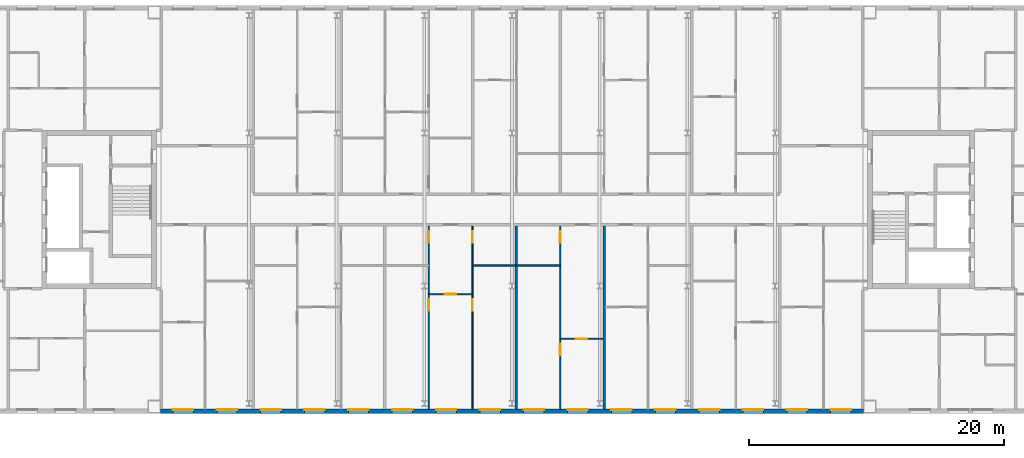
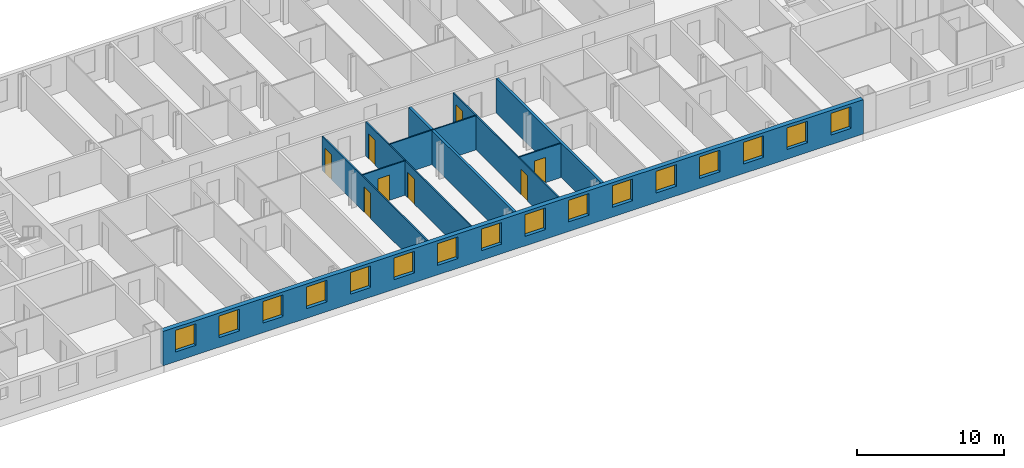
# One storey, part 10 of 19: 16 windows, 9 walls, 8 doors, 24 openings.
"""IFC4 building model written with IfcOpenShell, lengths in metres."""

import ifcopenshell
import ifcopenshell.guid

model = None  # the IFC model being written
_history = None  # IfcOwnerHistory: only IFC2X3 demands one
_inside = {}  # id of a spatial element -> (the spatial element, [elements in it])
_under = {}  # id of a project, library or spatial element -> (it, [spatial elements below it])
_declared = {}  # id of a project -> (the project, [libraries it declares])
_typed = {}  # id of a type object -> (the type object, [elements of that type])
_made_of = {}  # id of a material, layer set ... -> (it, [elements and type objects made of it])


def new_model(schema):
    """Start an empty IFC model of exactly this schema.

    Asked for "IFC4X3", IfcOpenShell would pick the latest addendum, in which some entities
    have other attributes; the version numbers below select the first issue.
    IFC2X3 requires an IfcOwnerHistory on every rooted entity: one is made here for all.
    """
    global model, _history
    if schema == "IFC4X3":
        model = ifcopenshell.file(schema_version=(4, 3, 0, 0))
    else:
        model = ifcopenshell.file(schema=schema)
    _inside.clear()
    _under.clear()
    _declared.clear()
    _typed.clear()
    _made_of.clear()
    _history = None
    if model.schema == "IFC2X3":
        org = make("IfcOrganization", Name="unknown")
        user = make(
            "IfcPersonAndOrganization",
            ThePerson=make("IfcPerson", FamilyName="unknown"),
            TheOrganization=org,
        )
        app = make(
            "IfcApplication",
            ApplicationDeveloper=org,
            Version="unknown",
            ApplicationFullName="unknown",
            ApplicationIdentifier="unknown",
        )
        _history = make(
            "IfcOwnerHistory",
            OwningUser=user,
            OwningApplication=app,
            ChangeAction="ADDED",
            CreationDate=0,
        )
    return model


def make(cls, **values):
    """One entity of the class cls with the attributes given. An attribute that is None is left unset."""
    return model.create_entity(
        cls, **{name: value for name, value in values.items() if value is not None}
    )


def rooted(cls, **values):
    """An entity with a GlobalId (a new one), such as an element, a storey or a relation."""
    return make(cls, GlobalId=ifcopenshell.guid.new(), OwnerHistory=_history, **values)


def si_unit(unit_type, name, prefix=None):
    """IfcSIUnit, for example si_unit("LENGTHUNIT", "METRE", prefix="MILLI")."""
    return make("IfcSIUnit", UnitType=unit_type, Prefix=prefix, Name=name)


def assignment(units):
    """IfcUnitAssignment: the units of a project."""
    return None if units is None else make("IfcUnitAssignment", Units=units)


def point(xyz):
    """IfcCartesianPoint."""
    return None if xyz is None else make("IfcCartesianPoint", Coordinates=xyz)


def direction(xyz):
    """IfcDirection."""
    return None if xyz is None else make("IfcDirection", DirectionRatios=xyz)


def frame(location, z_axis=None, x_axis=None):
    """IfcAxis2Placement3D, a coordinate frame: its origin and axes. An axis left out is left unset."""
    return make(
        "IfcAxis2Placement3D",
        Location=point(location),
        Axis=direction(z_axis),
        RefDirection=direction(x_axis),
    )


def frame_2d(location, x_axis=None):
    """IfcAxis2Placement2D, a coordinate frame in the plane: its origin and x axis."""
    return make(
        "IfcAxis2Placement2D", Location=point(location), RefDirection=direction(x_axis)
    )


def origin():
    """The frame at (0, 0, 0) with its axes left unset."""
    return frame((0.0, 0.0, 0.0))


def place(relative_to, where):
    """IfcLocalPlacement: puts the frame where relative to a parent placement (None: the world)."""
    return make(
        "IfcLocalPlacement", PlacementRelTo=relative_to, RelativePlacement=where
    )


def context(
    kind, dimensions, precision=None, world=None, true_north=None, identifier=None
):
    """IfcGeometricRepresentationContext, for example the 3D "Model" context."""
    return make(
        "IfcGeometricRepresentationContext",
        ContextIdentifier=identifier,
        ContextType=kind,
        CoordinateSpaceDimension=dimensions,
        Precision=precision,
        WorldCoordinateSystem=world,
        TrueNorth=true_north,
    )


def subcontext(parent, identifier, kind, view, scale=None):
    """IfcGeometricRepresentationSubContext, for example "Body" below "Model"."""
    return make(
        "IfcGeometricRepresentationSubContext",
        ContextIdentifier=identifier,
        ContextType=kind,
        ParentContext=parent,
        TargetScale=scale,
        TargetView=view,
    )


def project(units=None, contexts=None):
    """IfcProject with its units and contexts."""
    return rooted(
        "IfcProject",
        Name="project",
        RepresentationContexts=contexts,
        UnitsInContext=assignment(units),
    )


def spatial(cls, under=None, at=None, **own):
    """A site, building, storey or space (cls), placed at a placement, below another one or the project."""
    s = rooted(cls, ObjectPlacement=at, **own)
    if under is not None:
        _under.setdefault(under.id(), (under, []))[1].append(s)
    return s


def profile(cls, at=None, kind="AREA", **sizes):
    """A parametric profile (cls). Its sizes go by their IFC names, for example OverallWidth=200.0."""
    return make(cls, ProfileType=kind, Position=at, **sizes)


def rectangle(**sizes):
    """IfcRectangleProfileDef."""
    return profile("IfcRectangleProfileDef", **sizes)


def extrude(swept, where, along, depth):
    """IfcExtrudedAreaSolid: the profile swept, set in the frame where, extruded along a direction by depth."""
    return make(
        "IfcExtrudedAreaSolid",
        SweptArea=swept,
        Position=where,
        ExtrudedDirection=direction(along),
        Depth=depth,
    )


def shape(context_of_items, identifier, shape_type, items):
    """IfcShapeRepresentation: the items that make up one representation, for example the "Body"."""
    return make(
        "IfcShapeRepresentation",
        ContextOfItems=context_of_items,
        RepresentationIdentifier=identifier,
        RepresentationType=shape_type,
        Items=items,
    )


def material(Name=None, Category=None):
    """IfcMaterial."""
    return make("IfcMaterial", Name=Name, Category=Category)


def layer(
    of_material, thickness, ventilated=None, Name=None, Category=None, Priority=None
):
    """IfcMaterialLayer: one layer of a wall or slab, of a material (None: an air gap)."""
    return make(
        "IfcMaterialLayer",
        Material=of_material,
        LayerThickness=thickness,
        IsVentilated=ventilated,
        Name=Name,
        Category=Category,
        Priority=Priority,
    )


def layer_set(layers, Name=None):
    """IfcMaterialLayerSet."""
    return make("IfcMaterialLayerSet", MaterialLayers=layers, LayerSetName=Name)


def made_of(thing, what):
    """Note that an element or type object is made of a material, layer set ...; save() writes the relation."""
    if what is not None:
        _made_of.setdefault(what.id(), (what, []))[1].append(thing)
    return thing


def type_object(cls, material=None, **own):
    """A type object (cls), such as IfcWallType, which elements share."""
    return made_of(rooted(cls, **own), material)


def element(
    cls,
    number,
    at=None,
    inside=None,
    cuts=None,
    type_object=None,
    material=None,
    context=None,
    identifier="Body",
    shape_type=None,
    held_by="IfcProductDefinitionShape",
    body=None,
    shapes=None,
    **own,
):
    """One element of the class cls, such as IfcWall. Its Tag is "e" and its number.

    at: its placement. inside: the storey or other place that contains it. cuts: it is an
    opening in that element (IfcRelVoidsElement). A single representation is given by context,
    identifier, shape_type and body (its items); several are given by shapes. held_by: the class
    of the entity that holds the representations. save() writes the other relations.
    """
    e = rooted(cls, Tag="e%d" % number, ObjectPlacement=at, **own)
    if body is not None:
        shapes = [shape(context, identifier, shape_type, body)]
    if shapes is not None:
        e.Representation = make(held_by, Representations=shapes)
    if inside is not None:
        _inside.setdefault(inside.id(), (inside, []))[1].append(e)
    if cuts is not None:
        rooted(
            "IfcRelVoidsElement", RelatingBuildingElement=cuts, RelatedOpeningElement=e
        )
    if type_object is not None:
        _typed.setdefault(type_object.id(), (type_object, []))[1].append(e)
    return made_of(e, material)


def fill(opening, filler):
    """IfcRelFillsElement: the door or window that sits in an opening."""
    return rooted(
        "IfcRelFillsElement",
        RelatingOpeningElement=opening,
        RelatedBuildingElement=filler,
    )


def aggregate(whole, parts):
    """IfcRelAggregates: a whole, such as a stair, and the parts it consists of."""
    return rooted("IfcRelAggregates", RelatingObject=whole, RelatedObjects=parts)


def save(model, path):
    """Write the relations noted so far, then the file.

    IfcRelAggregates (storeys below a building ...), IfcRelContainedInSpatialStructure (elements
    in a storey), IfcRelDefinesByType, IfcRelAssociatesMaterial and IfcRelDeclares: one each for
    every whole, place, type object, material and project.
    """
    for whole, parts in _under.values():
        aggregate(whole, parts)
    for where, things in _inside.values():
        rooted(
            "IfcRelContainedInSpatialStructure",
            RelatedElements=things,
            RelatingStructure=where,
        )
    for kind, things in _typed.values():
        rooted("IfcRelDefinesByType", RelatedObjects=things, RelatingType=kind)
    for what, things in _made_of.values():
        rooted("IfcRelAssociatesMaterial", RelatedObjects=things, RelatingMaterial=what)
    for by, libraries in _declared.values():
        rooted("IfcRelDeclares", RelatingContext=by, RelatedDefinitions=libraries)
    model.write(path)


model = new_model("IFC4")

# Units and contexts
model_context = context("Model", 3, precision=1e-05, world=origin(), true_north=direction((0.0, 1.0)))
body_context = subcontext(model_context, "Body", "Model", "MODEL_VIEW")
ifc_project = project(units=[si_unit("LENGTHUNIT", "METRE"), si_unit("AREAUNIT", "SQUARE_METRE"), si_unit("VOLUMEUNIT", "CUBIC_METRE"), si_unit("PLANEANGLEUNIT", "RADIAN"), si_unit("MASSUNIT", "GRAM", prefix="KILO")], contexts=[model_context])

# Site, building, storey
site_placement = place(None, origin())
site = spatial("IfcSite", under=ifc_project, at=site_placement, CompositionType="ELEMENT")
building_placement = place(site_placement, origin())
building = spatial("IfcBuilding", under=site, at=building_placement, Name="Tuart Gate Housing", CompositionType="ELEMENT")
storey_placement = place(building_placement, frame((0.0, 0.0, 221.39990234375)))
storey = spatial("IfcBuildingStorey", under=building, at=storey_placement, Name="L62", CompositionType="ELEMENT", Elevation=221.39990234375)

# Wall, openings, windows
ifc_material_1 = material(Name="Brick", Category="masonry")
ifc_layer_1 = layer(ifc_material_1, 0.360107421875)
ifc_layer_set_1 = layer_set([ifc_layer_1], Name="Brick pier and spandrel wall 360")
wall_type_1 = type_object("IfcWallType", Name="Brick pier and spandrel wall 360", PredefinedType="STANDARD", material=ifc_layer_set_1)
wall_1_placement = place(storey_placement, frame((75.949951171875, 54.179931640625, 0.0), z_axis=(0.0, 0.0, 1.0), x_axis=(1.0, 0.0, 0.0)))
wall_1 = element("IfcWall", 1, at=wall_1_placement, inside=storey, type_object=wall_type_1, Name="External wall BLK-S L62", PredefinedType="STANDARD", context=body_context, shape_type="SweptSolid", body=[
    extrude(rectangle(XDim=55.10009765625, YDim=0.360107421875, at=frame_2d((27.550048828125, 0.0))), origin(), (0.0, 0.0, 1.0), 2.85009765625),
])
opening_1_placement = place(wall_1_placement, frame((0.96875, 0.0, 0.800048828125)))
opening_1 = element("IfcOpeningElement", 2, at=opening_1_placement, cuts=wall_1, Name="Opening W1", PredefinedType="OPENING", context=body_context, shape_type="SweptSolid", body=[
    extrude(rectangle(XDim=1.60009765625, YDim=1.800048828125, at=frame_2d((0.800048828125, 0.89990234375))), frame((0.0, 0.18994140625, 0.0), z_axis=(0.0, -1.0, 0.0), x_axis=(1.0, 0.0, 0.0)), (0.0, 0.0, 1.0), 0.380126953125),
])
opening_2_placement = place(wall_1_placement, frame((4.40625, 0.0, 0.800048828125)))
opening_2 = element("IfcOpeningElement", 3, at=opening_2_placement, cuts=wall_1, Name="Opening W1", PredefinedType="OPENING", context=body_context, shape_type="SweptSolid", body=[
    extrude(rectangle(XDim=1.60009765625, YDim=1.800048828125, at=frame_2d((0.800048828125, 0.89990234375))), frame((0.0, 0.18994140625, 0.0), z_axis=(0.0, -1.0, 0.0), x_axis=(1.0, 0.0, 0.0)), (0.0, 0.0, 1.0), 0.380126953125),
])
opening_3_placement = place(wall_1_placement, frame((7.84375, 0.0, 0.800048828125)))
opening_3 = element("IfcOpeningElement", 4, at=opening_3_placement, cuts=wall_1, Name="Opening W1", PredefinedType="OPENING", context=body_context, shape_type="SweptSolid", body=[
    extrude(rectangle(XDim=1.60009765625, YDim=1.800048828125, at=frame_2d((0.800048828125, 0.89990234375))), frame((0.0, 0.18994140625, 0.0), z_axis=(0.0, -1.0, 0.0), x_axis=(1.0, 0.0, 0.0)), (0.0, 0.0, 1.0), 0.380126953125),
])
opening_4_placement = place(wall_1_placement, frame((11.28125, 0.0, 0.800048828125)))
opening_4 = element("IfcOpeningElement", 5, at=opening_4_placement, cuts=wall_1, Name="Opening W1", PredefinedType="OPENING", context=body_context, shape_type="SweptSolid", body=[
    extrude(rectangle(XDim=1.60009765625, YDim=1.800048828125, at=frame_2d((0.800048828125, 0.89990234375))), frame((0.0, 0.18994140625, 0.0), z_axis=(0.0, -1.0, 0.0), x_axis=(1.0, 0.0, 0.0)), (0.0, 0.0, 1.0), 0.380126953125),
])
opening_5_placement = place(wall_1_placement, frame((14.71875, 0.0, 0.800048828125)))
opening_5 = element("IfcOpeningElement", 6, at=opening_5_placement, cuts=wall_1, Name="Opening W1", PredefinedType="OPENING", context=body_context, shape_type="SweptSolid", body=[
    extrude(rectangle(XDim=1.60009765625, YDim=1.800048828125, at=frame_2d((0.800048828125, 0.89990234375))), frame((0.0, 0.18994140625, 0.0), z_axis=(0.0, -1.0, 0.0), x_axis=(1.0, 0.0, 0.0)), (0.0, 0.0, 1.0), 0.380126953125),
])
opening_6_placement = place(wall_1_placement, frame((18.15625, 0.0, 0.800048828125)))
opening_6 = element("IfcOpeningElement", 7, at=opening_6_placement, cuts=wall_1, Name="Opening W1", PredefinedType="OPENING", context=body_context, shape_type="SweptSolid", body=[
    extrude(rectangle(XDim=1.60009765625, YDim=1.800048828125, at=frame_2d((0.800048828125, 0.89990234375))), frame((0.0, 0.18994140625, 0.0), z_axis=(0.0, -1.0, 0.0), x_axis=(1.0, 0.0, 0.0)), (0.0, 0.0, 1.0), 0.380126953125),
])
opening_7_placement = place(wall_1_placement, frame((21.59375, 0.0, 0.800048828125)))
opening_7 = element("IfcOpeningElement", 8, at=opening_7_placement, cuts=wall_1, Name="Opening W1", PredefinedType="OPENING", context=body_context, shape_type="SweptSolid", body=[
    extrude(rectangle(XDim=1.60009765625, YDim=1.800048828125, at=frame_2d((0.800048828125, 0.89990234375))), frame((0.0, 0.18994140625, 0.0), z_axis=(0.0, -1.0, 0.0), x_axis=(1.0, 0.0, 0.0)), (0.0, 0.0, 1.0), 0.380126953125),
])
opening_8_placement = place(wall_1_placement, frame((25.03125, 0.0, 0.800048828125)))
opening_8 = element("IfcOpeningElement", 9, at=opening_8_placement, cuts=wall_1, Name="Opening W1", PredefinedType="OPENING", context=body_context, shape_type="SweptSolid", body=[
    extrude(rectangle(XDim=1.60009765625, YDim=1.800048828125, at=frame_2d((0.800048828125, 0.89990234375))), frame((0.0, 0.18994140625, 0.0), z_axis=(0.0, -1.0, 0.0), x_axis=(1.0, 0.0, 0.0)), (0.0, 0.0, 1.0), 0.380126953125),
])
opening_9_placement = place(wall_1_placement, frame((28.46875, 0.0, 0.800048828125)))
opening_9 = element("IfcOpeningElement", 10, at=opening_9_placement, cuts=wall_1, Name="Opening W1", PredefinedType="OPENING", context=body_context, shape_type="SweptSolid", body=[
    extrude(rectangle(XDim=1.60009765625, YDim=1.800048828125, at=frame_2d((0.800048828125, 0.89990234375))), frame((0.0, 0.18994140625, 0.0), z_axis=(0.0, -1.0, 0.0), x_axis=(1.0, 0.0, 0.0)), (0.0, 0.0, 1.0), 0.380126953125),
])
opening_10_placement = place(wall_1_placement, frame((31.90625, 0.0, 0.800048828125)))
opening_10 = element("IfcOpeningElement", 11, at=opening_10_placement, cuts=wall_1, Name="Opening W1", PredefinedType="OPENING", context=body_context, shape_type="SweptSolid", body=[
    extrude(rectangle(XDim=1.60009765625, YDim=1.800048828125, at=frame_2d((0.800048828125, 0.89990234375))), frame((0.0, 0.18994140625, 0.0), z_axis=(0.0, -1.0, 0.0), x_axis=(1.0, 0.0, 0.0)), (0.0, 0.0, 1.0), 0.380126953125),
])
opening_11_placement = place(wall_1_placement, frame((35.34375, 0.0, 0.800048828125)))
opening_11 = element("IfcOpeningElement", 12, at=opening_11_placement, cuts=wall_1, Name="Opening W1", PredefinedType="OPENING", context=body_context, shape_type="SweptSolid", body=[
    extrude(rectangle(XDim=1.60009765625, YDim=1.800048828125, at=frame_2d((0.800048828125, 0.89990234375))), frame((0.0, 0.18994140625, 0.0), z_axis=(0.0, -1.0, 0.0), x_axis=(1.0, 0.0, 0.0)), (0.0, 0.0, 1.0), 0.380126953125),
])
opening_12_placement = place(wall_1_placement, frame((38.78125, 0.0, 0.800048828125)))
opening_12 = element("IfcOpeningElement", 13, at=opening_12_placement, cuts=wall_1, Name="Opening W1", PredefinedType="OPENING", context=body_context, shape_type="SweptSolid", body=[
    extrude(rectangle(XDim=1.60009765625, YDim=1.800048828125, at=frame_2d((0.800048828125, 0.89990234375))), frame((0.0, 0.18994140625, 0.0), z_axis=(0.0, -1.0, 0.0), x_axis=(1.0, 0.0, 0.0)), (0.0, 0.0, 1.0), 0.380126953125),
])
opening_13_placement = place(wall_1_placement, frame((42.21875, 0.0, 0.800048828125)))
opening_13 = element("IfcOpeningElement", 14, at=opening_13_placement, cuts=wall_1, Name="Opening W1", PredefinedType="OPENING", context=body_context, shape_type="SweptSolid", body=[
    extrude(rectangle(XDim=1.60009765625, YDim=1.800048828125, at=frame_2d((0.800048828125, 0.89990234375))), frame((0.0, 0.18994140625, 0.0), z_axis=(0.0, -1.0, 0.0), x_axis=(1.0, 0.0, 0.0)), (0.0, 0.0, 1.0), 0.380126953125),
])
opening_14_placement = place(wall_1_placement, frame((45.65625, 0.0, 0.800048828125)))
opening_14 = element("IfcOpeningElement", 15, at=opening_14_placement, cuts=wall_1, Name="Opening W1", PredefinedType="OPENING", context=body_context, shape_type="SweptSolid", body=[
    extrude(rectangle(XDim=1.60009765625, YDim=1.800048828125, at=frame_2d((0.800048828125, 0.89990234375))), frame((0.0, 0.18994140625, 0.0), z_axis=(0.0, -1.0, 0.0), x_axis=(1.0, 0.0, 0.0)), (0.0, 0.0, 1.0), 0.380126953125),
])
opening_15_placement = place(wall_1_placement, frame((49.09375, 0.0, 0.800048828125)))
opening_15 = element("IfcOpeningElement", 16, at=opening_15_placement, cuts=wall_1, Name="Opening W1", PredefinedType="OPENING", context=body_context, shape_type="SweptSolid", body=[
    extrude(rectangle(XDim=1.60009765625, YDim=1.800048828125, at=frame_2d((0.800048828125, 0.89990234375))), frame((0.0, 0.18994140625, 0.0), z_axis=(0.0, -1.0, 0.0), x_axis=(1.0, 0.0, 0.0)), (0.0, 0.0, 1.0), 0.380126953125),
])
opening_16_placement = place(wall_1_placement, frame((52.53125, 0.0, 0.800048828125)))
opening_16 = element("IfcOpeningElement", 17, at=opening_16_placement, cuts=wall_1, Name="Opening W1", PredefinedType="OPENING", context=body_context, shape_type="SweptSolid", body=[
    extrude(rectangle(XDim=1.60009765625, YDim=1.800048828125, at=frame_2d((0.800048828125, 0.89990234375))), frame((0.0, 0.18994140625, 0.0), z_axis=(0.0, -1.0, 0.0), x_axis=(1.0, 0.0, 0.0)), (0.0, 0.0, 1.0), 0.380126953125),
])
ifc_material_2 = material(Name="Aluminium frame with clear glass", Category="aluminium")
window_type = type_object("IfcWindowType", Name="Punched window 1600 x 1800", PartitioningType="SINGLE_PANEL", PredefinedType="WINDOW", material=ifc_material_2)
window_1_placement = place(opening_1_placement, origin())
window_1 = element("IfcWindow", 18, at=window_1_placement, inside=storey, type_object=window_type, Name="Window W1", OverallHeight=1.800048828125, OverallWidth=1.60009765625, PartitioningType="SINGLE_PANEL", PredefinedType="WINDOW", context=body_context, shape_type="SweptSolid", body=[
    extrude(rectangle(XDim=1.60009765625, YDim=1.800048828125, at=frame_2d((0.800048828125, 0.89990234375))), frame((0.0, 0.150146484375, 0.0), z_axis=(0.0, -1.0, 0.0), x_axis=(1.0, 0.0, 0.0)), (0.0, 0.0, 1.0), 0.06005859375),
])
fill(opening_1, window_1)
window_2_placement = place(opening_2_placement, origin())
window_2 = element("IfcWindow", 19, at=window_2_placement, inside=storey, type_object=window_type, Name="Window W1", OverallHeight=1.800048828125, OverallWidth=1.60009765625, PartitioningType="SINGLE_PANEL", PredefinedType="WINDOW", context=body_context, shape_type="SweptSolid", body=[
    extrude(rectangle(XDim=1.60009765625, YDim=1.800048828125, at=frame_2d((0.800048828125, 0.89990234375))), frame((0.0, 0.150146484375, 0.0), z_axis=(0.0, -1.0, 0.0), x_axis=(1.0, 0.0, 0.0)), (0.0, 0.0, 1.0), 0.06005859375),
])
fill(opening_2, window_2)
window_3_placement = place(opening_3_placement, origin())
window_3 = element("IfcWindow", 20, at=window_3_placement, inside=storey, type_object=window_type, Name="Window W1", OverallHeight=1.800048828125, OverallWidth=1.60009765625, PartitioningType="SINGLE_PANEL", PredefinedType="WINDOW", context=body_context, shape_type="SweptSolid", body=[
    extrude(rectangle(XDim=1.60009765625, YDim=1.800048828125, at=frame_2d((0.800048828125, 0.89990234375))), frame((0.0, 0.150146484375, 0.0), z_axis=(0.0, -1.0, 0.0), x_axis=(1.0, 0.0, 0.0)), (0.0, 0.0, 1.0), 0.06005859375),
])
fill(opening_3, window_3)
window_4_placement = place(opening_4_placement, origin())
window_4 = element("IfcWindow", 21, at=window_4_placement, inside=storey, type_object=window_type, Name="Window W1", OverallHeight=1.800048828125, OverallWidth=1.60009765625, PartitioningType="SINGLE_PANEL", PredefinedType="WINDOW", context=body_context, shape_type="SweptSolid", body=[
    extrude(rectangle(XDim=1.60009765625, YDim=1.800048828125, at=frame_2d((0.800048828125, 0.89990234375))), frame((0.0, 0.150146484375, 0.0), z_axis=(0.0, -1.0, 0.0), x_axis=(1.0, 0.0, 0.0)), (0.0, 0.0, 1.0), 0.06005859375),
])
fill(opening_4, window_4)
window_5_placement = place(opening_5_placement, origin())
window_5 = element("IfcWindow", 22, at=window_5_placement, inside=storey, type_object=window_type, Name="Window W1", OverallHeight=1.800048828125, OverallWidth=1.60009765625, PartitioningType="SINGLE_PANEL", PredefinedType="WINDOW", context=body_context, shape_type="SweptSolid", body=[
    extrude(rectangle(XDim=1.60009765625, YDim=1.800048828125, at=frame_2d((0.800048828125, 0.89990234375))), frame((0.0, 0.150146484375, 0.0), z_axis=(0.0, -1.0, 0.0), x_axis=(1.0, 0.0, 0.0)), (0.0, 0.0, 1.0), 0.06005859375),
])
fill(opening_5, window_5)
window_6_placement = place(opening_6_placement, origin())
window_6 = element("IfcWindow", 23, at=window_6_placement, inside=storey, type_object=window_type, Name="Window W1", OverallHeight=1.800048828125, OverallWidth=1.60009765625, PartitioningType="SINGLE_PANEL", PredefinedType="WINDOW", context=body_context, shape_type="SweptSolid", body=[
    extrude(rectangle(XDim=1.60009765625, YDim=1.800048828125, at=frame_2d((0.800048828125, 0.89990234375))), frame((0.0, 0.150146484375, 0.0), z_axis=(0.0, -1.0, 0.0), x_axis=(1.0, 0.0, 0.0)), (0.0, 0.0, 1.0), 0.06005859375),
])
fill(opening_6, window_6)
window_7_placement = place(opening_7_placement, origin())
window_7 = element("IfcWindow", 24, at=window_7_placement, inside=storey, type_object=window_type, Name="Window W1", OverallHeight=1.800048828125, OverallWidth=1.60009765625, PartitioningType="SINGLE_PANEL", PredefinedType="WINDOW", context=body_context, shape_type="SweptSolid", body=[
    extrude(rectangle(XDim=1.60009765625, YDim=1.800048828125, at=frame_2d((0.800048828125, 0.89990234375))), frame((0.0, 0.150146484375, 0.0), z_axis=(0.0, -1.0, 0.0), x_axis=(1.0, 0.0, 0.0)), (0.0, 0.0, 1.0), 0.06005859375),
])
fill(opening_7, window_7)
window_8_placement = place(opening_8_placement, origin())
window_8 = element("IfcWindow", 25, at=window_8_placement, inside=storey, type_object=window_type, Name="Window W1", OverallHeight=1.800048828125, OverallWidth=1.60009765625, PartitioningType="SINGLE_PANEL", PredefinedType="WINDOW", context=body_context, shape_type="SweptSolid", body=[
    extrude(rectangle(XDim=1.60009765625, YDim=1.800048828125, at=frame_2d((0.800048828125, 0.89990234375))), frame((0.0, 0.150146484375, 0.0), z_axis=(0.0, -1.0, 0.0), x_axis=(1.0, 0.0, 0.0)), (0.0, 0.0, 1.0), 0.06005859375),
])
fill(opening_8, window_8)
window_9_placement = place(opening_9_placement, origin())
window_9 = element("IfcWindow", 26, at=window_9_placement, inside=storey, type_object=window_type, Name="Window W1", OverallHeight=1.800048828125, OverallWidth=1.60009765625, PartitioningType="SINGLE_PANEL", PredefinedType="WINDOW", context=body_context, shape_type="SweptSolid", body=[
    extrude(rectangle(XDim=1.60009765625, YDim=1.800048828125, at=frame_2d((0.800048828125, 0.89990234375))), frame((0.0, 0.150146484375, 0.0), z_axis=(0.0, -1.0, 0.0), x_axis=(1.0, 0.0, 0.0)), (0.0, 0.0, 1.0), 0.06005859375),
])
fill(opening_9, window_9)
window_10_placement = place(opening_10_placement, origin())
window_10 = element("IfcWindow", 27, at=window_10_placement, inside=storey, type_object=window_type, Name="Window W1", OverallHeight=1.800048828125, OverallWidth=1.60009765625, PartitioningType="SINGLE_PANEL", PredefinedType="WINDOW", context=body_context, shape_type="SweptSolid", body=[
    extrude(rectangle(XDim=1.60009765625, YDim=1.800048828125, at=frame_2d((0.800048828125, 0.89990234375))), frame((0.0, 0.150146484375, 0.0), z_axis=(0.0, -1.0, 0.0), x_axis=(1.0, 0.0, 0.0)), (0.0, 0.0, 1.0), 0.06005859375),
])
fill(opening_10, window_10)
window_11_placement = place(opening_11_placement, origin())
window_11 = element("IfcWindow", 28, at=window_11_placement, inside=storey, type_object=window_type, Name="Window W1", OverallHeight=1.800048828125, OverallWidth=1.60009765625, PartitioningType="SINGLE_PANEL", PredefinedType="WINDOW", context=body_context, shape_type="SweptSolid", body=[
    extrude(rectangle(XDim=1.60009765625, YDim=1.800048828125, at=frame_2d((0.800048828125, 0.89990234375))), frame((0.0, 0.150146484375, 0.0), z_axis=(0.0, -1.0, 0.0), x_axis=(1.0, 0.0, 0.0)), (0.0, 0.0, 1.0), 0.06005859375),
])
fill(opening_11, window_11)
window_12_placement = place(opening_12_placement, origin())
window_12 = element("IfcWindow", 29, at=window_12_placement, inside=storey, type_object=window_type, Name="Window W1", OverallHeight=1.800048828125, OverallWidth=1.60009765625, PartitioningType="SINGLE_PANEL", PredefinedType="WINDOW", context=body_context, shape_type="SweptSolid", body=[
    extrude(rectangle(XDim=1.60009765625, YDim=1.800048828125, at=frame_2d((0.800048828125, 0.89990234375))), frame((0.0, 0.150146484375, 0.0), z_axis=(0.0, -1.0, 0.0), x_axis=(1.0, 0.0, 0.0)), (0.0, 0.0, 1.0), 0.06005859375),
])
fill(opening_12, window_12)
window_13_placement = place(opening_13_placement, origin())
window_13 = element("IfcWindow", 30, at=window_13_placement, inside=storey, type_object=window_type, Name="Window W1", OverallHeight=1.800048828125, OverallWidth=1.60009765625, PartitioningType="SINGLE_PANEL", PredefinedType="WINDOW", context=body_context, shape_type="SweptSolid", body=[
    extrude(rectangle(XDim=1.60009765625, YDim=1.800048828125, at=frame_2d((0.800048828125, 0.89990234375))), frame((0.0, 0.150146484375, 0.0), z_axis=(0.0, -1.0, 0.0), x_axis=(1.0, 0.0, 0.0)), (0.0, 0.0, 1.0), 0.06005859375),
])
fill(opening_13, window_13)
window_14_placement = place(opening_14_placement, origin())
window_14 = element("IfcWindow", 31, at=window_14_placement, inside=storey, type_object=window_type, Name="Window W1", OverallHeight=1.800048828125, OverallWidth=1.60009765625, PartitioningType="SINGLE_PANEL", PredefinedType="WINDOW", context=body_context, shape_type="SweptSolid", body=[
    extrude(rectangle(XDim=1.60009765625, YDim=1.800048828125, at=frame_2d((0.800048828125, 0.89990234375))), frame((0.0, 0.150146484375, 0.0), z_axis=(0.0, -1.0, 0.0), x_axis=(1.0, 0.0, 0.0)), (0.0, 0.0, 1.0), 0.06005859375),
])
fill(opening_14, window_14)
window_15_placement = place(opening_15_placement, origin())
window_15 = element("IfcWindow", 32, at=window_15_placement, inside=storey, type_object=window_type, Name="Window W1", OverallHeight=1.800048828125, OverallWidth=1.60009765625, PartitioningType="SINGLE_PANEL", PredefinedType="WINDOW", context=body_context, shape_type="SweptSolid", body=[
    extrude(rectangle(XDim=1.60009765625, YDim=1.800048828125, at=frame_2d((0.800048828125, 0.89990234375))), frame((0.0, 0.150146484375, 0.0), z_axis=(0.0, -1.0, 0.0), x_axis=(1.0, 0.0, 0.0)), (0.0, 0.0, 1.0), 0.06005859375),
])
fill(opening_15, window_15)
window_16_placement = place(opening_16_placement, origin())
window_16 = element("IfcWindow", 33, at=window_16_placement, inside=storey, type_object=window_type, Name="Window W1", OverallHeight=1.800048828125, OverallWidth=1.60009765625, PartitioningType="SINGLE_PANEL", PredefinedType="WINDOW", context=body_context, shape_type="SweptSolid", body=[
    extrude(rectangle(XDim=1.60009765625, YDim=1.800048828125, at=frame_2d((0.800048828125, 0.89990234375))), frame((0.0, 0.150146484375, 0.0), z_axis=(0.0, -1.0, 0.0), x_axis=(1.0, 0.0, 0.0)), (0.0, 0.0, 1.0), 0.06005859375),
])
fill(opening_16, window_16)

# Wall, opening, door
ifc_material_3 = material(Name="Gypsum board on steel studs", Category="steel")
ifc_layer_2 = layer(ifc_material_3, 0.10009765625)
ifc_layer_set_2 = layer_set([ifc_layer_2], Name="Partition 100")
wall_type_2 = type_object("IfcWallType", Name="Partition 100", PredefinedType="PARTITIONING", material=ifc_layer_set_2)
wall_2_placement = place(storey_placement, frame((107.287109375, 59.860107421875, 0.0), z_axis=(0.0, 0.0, 1.0), x_axis=(1.0, 0.0, 0.0)))
wall_2 = element("IfcWall", 34, at=wall_2_placement, inside=storey, type_object=wall_type_2, Name="Partition 100", PredefinedType="PARTITIONING", context=body_context, shape_type="SweptSolid", body=[
    extrude(rectangle(XDim=3.337890625, YDim=0.10009765625, at=frame_2d((1.6689453125, 0.0))), origin(), (0.0, 0.0, 1.0), 2.85009765625),
])
opening_17_placement = place(wall_2_placement, frame((1.218994140625, 0.0, 0.0)))
opening_17 = element("IfcOpeningElement", 35, at=opening_17_placement, cuts=wall_2, Name="Opening D2390", PredefinedType="OPENING", context=body_context, shape_type="SweptSolid", body=[
    extrude(rectangle(XDim=0.89990234375, YDim=2.10009765625, at=frame_2d((0.449951171875, 1.050048828125))), frame((0.0, 0.06005859375, 0.0), z_axis=(0.0, -1.0, 0.0), x_axis=(1.0, 0.0, 0.0)), (0.0, 0.0, 1.0), 0.1201171875),
])
ifc_material_4 = material(Name="Timber door leaf in steel frame", Category="steel")
door_type_1 = type_object("IfcDoorType", Name="Internal door 900", OperationType="SINGLE_SWING_LEFT", PredefinedType="DOOR", material=ifc_material_4)
door_1_placement = place(opening_17_placement, origin())
door_1 = element("IfcDoor", 36, at=door_1_placement, inside=storey, type_object=door_type_1, Name="Internal door", OperationType="SINGLE_SWING_LEFT", OverallHeight=2.10009765625, OverallWidth=0.89990234375, PredefinedType="DOOR", context=body_context, shape_type="SweptSolid", body=[
    extrude(rectangle(XDim=0.89990234375, YDim=2.10009765625, at=frame_2d((0.449951171875, 1.050048828125))), frame((0.0, 0.02490234375, 0.0), z_axis=(0.0, -1.0, 0.0), x_axis=(1.0, 0.0, 0.0)), (0.0, 0.0, 1.0), 0.050048828125),
])
fill(opening_17, door_1)

wall_3_placement = place(storey_placement, frame((96.97509765625, 63.360107421875, 0.0), z_axis=(0.0, 0.0, 1.0), x_axis=(1.0, 0.0, 0.0)))
wall_3 = element("IfcWall", 37, at=wall_3_placement, inside=storey, type_object=wall_type_2, Name="Partition 100", PredefinedType="PARTITIONING", context=body_context, shape_type="SweptSolid", body=[
    extrude(rectangle(XDim=3.43701171875, YDim=0.10009765625, at=frame_2d((1.718505859375, 0.0))), origin(), (0.0, 0.0, 1.0), 2.85009765625),
])
opening_18_placement = place(wall_3_placement, frame((1.2685546875, 0.0, 0.0)))
opening_18 = element("IfcOpeningElement", 38, at=opening_18_placement, cuts=wall_3, Name="Opening D2366", PredefinedType="OPENING", context=body_context, shape_type="SweptSolid", body=[
    extrude(rectangle(XDim=0.89990234375, YDim=2.10009765625, at=frame_2d((0.449951171875, 1.050048828125))), frame((0.0, 0.06005859375, 0.0), z_axis=(0.0, -1.0, 0.0), x_axis=(1.0, 0.0, 0.0)), (0.0, 0.0, 1.0), 0.1201171875),
])
door_2_placement = place(opening_18_placement, origin())
door_2 = element("IfcDoor", 39, at=door_2_placement, inside=storey, type_object=door_type_1, Name="Internal door", OperationType="SINGLE_SWING_LEFT", OverallHeight=2.10009765625, OverallWidth=0.89990234375, PredefinedType="DOOR", context=body_context, shape_type="SweptSolid", body=[
    extrude(rectangle(XDim=0.89990234375, YDim=2.10009765625, at=frame_2d((0.449951171875, 1.050048828125))), frame((0.0, 0.02490234375, 0.0), z_axis=(0.0, -1.0, 0.0), x_axis=(1.0, 0.0, 0.0)), (0.0, 0.0, 1.0), 0.050048828125),
])
fill(opening_18, door_2)

# Wall
wall_4_placement = place(storey_placement, frame((100.412109375, 65.60009765625, 0.0), z_axis=(0.0, 0.0, 1.0), x_axis=(1.0, 0.0, 0.0)))
element("IfcWall", 40, at=wall_4_placement, inside=storey, type_object=wall_type_2, Name="Partition 100", PredefinedType="PARTITIONING", context=body_context, shape_type="SweptSolid", body=[
    extrude(rectangle(XDim=6.875, YDim=0.10009765625, at=frame_2d((3.4375, 0.0))), origin(), (0.0, 0.0, 1.0), 2.85009765625),
])

# Wall, openings, doors
wall_5_placement = place(storey_placement, frame((96.97509765625, 54.360107421875, 0.0), z_axis=(0.0, 0.0, 1.0), x_axis=(0.0, 1.0, 0.0)))
wall_5 = element("IfcWall", 41, at=wall_5_placement, inside=storey, type_object=wall_type_2, Name="Partition 100", PredefinedType="PARTITIONING", context=body_context, shape_type="SweptSolid", body=[
    extrude(rectangle(XDim=14.33984375, YDim=0.10009765625, at=frame_2d((7.169921875, 0.0))), origin(), (0.0, 0.0, 1.0), 2.85009765625),
])
opening_19_placement = place(wall_5_placement, frame((7.699951171875, 0.0, 0.0)))
opening_19 = element("IfcOpeningElement", 42, at=opening_19_placement, cuts=wall_5, Name="Opening D2377", PredefinedType="OPENING", context=body_context, shape_type="SweptSolid", body=[
    extrude(rectangle(XDim=0.89990234375, YDim=2.10009765625, at=frame_2d((0.449951171875, 1.050048828125))), frame((0.0, 0.06005859375, 0.0), z_axis=(0.0, -1.0, 0.0), x_axis=(1.0, 0.0, 0.0)), (0.0, 0.0, 1.0), 0.1201171875),
])
opening_20_placement = place(wall_5_placement, frame((13.0400390625, 0.0, 0.0)))
opening_20 = element("IfcOpeningElement", 43, at=opening_20_placement, cuts=wall_5, Name="Opening D2376", PredefinedType="OPENING", context=body_context, shape_type="SweptSolid", body=[
    extrude(rectangle(XDim=0.89990234375, YDim=2.10009765625, at=frame_2d((0.449951171875, 1.050048828125))), frame((0.0, 0.06005859375, 0.0), z_axis=(0.0, -1.0, 0.0), x_axis=(1.0, 0.0, 0.0)), (0.0, 0.0, 1.0), 0.1201171875),
])
ifc_material_5 = material(Name="Timber door leaf in steel frame", Category="steel")
door_type_2 = type_object("IfcDoorType", Name="Bathroom door 900 RH", OperationType="SINGLE_SWING_RIGHT", PredefinedType="DOOR", material=ifc_material_5)
door_3_placement = place(opening_20_placement, origin())
door_3 = element("IfcDoor", 44, at=door_3_placement, inside=storey, type_object=door_type_2, Name="Bathroom door", OperationType="SINGLE_SWING_RIGHT", OverallHeight=2.10009765625, OverallWidth=0.89990234375, PredefinedType="DOOR", context=body_context, shape_type="SweptSolid", body=[
    extrude(rectangle(XDim=0.89990234375, YDim=2.10009765625, at=frame_2d((0.449951171875, 1.050048828125))), frame((0.0, 0.02490234375, 0.0), z_axis=(0.0, -1.0, 0.0), x_axis=(1.0, 0.0, 0.0)), (0.0, 0.0, 1.0), 0.050048828125),
])
fill(opening_20, door_3)
ifc_material_6 = material(Name="Timber door leaf in steel frame", Category="steel")
door_type_3 = type_object("IfcDoorType", Name="Internal door 900 RH", OperationType="SINGLE_SWING_RIGHT", PredefinedType="DOOR", material=ifc_material_6)
door_4_placement = place(opening_19_placement, origin())
door_4 = element("IfcDoor", 45, at=door_4_placement, inside=storey, type_object=door_type_3, Name="Internal door", OperationType="SINGLE_SWING_RIGHT", OverallHeight=2.10009765625, OverallWidth=0.89990234375, PredefinedType="DOOR", context=body_context, shape_type="SweptSolid", body=[
    extrude(rectangle(XDim=0.89990234375, YDim=2.10009765625, at=frame_2d((0.449951171875, 1.050048828125))), frame((0.0, 0.02490234375, 0.0), z_axis=(0.0, -1.0, 0.0), x_axis=(1.0, 0.0, 0.0)), (0.0, 0.0, 1.0), 0.050048828125),
])
fill(opening_19, door_4)

wall_6_placement = place(storey_placement, frame((100.412109375, 54.360107421875, 0.0), z_axis=(0.0, 0.0, 1.0), x_axis=(0.0, 1.0, 0.0)))
wall_6 = element("IfcWall", 46, at=wall_6_placement, inside=storey, type_object=wall_type_2, Name="Partition 100", PredefinedType="PARTITIONING", context=body_context, shape_type="SweptSolid", body=[
    extrude(rectangle(XDim=14.33984375, YDim=0.10009765625, at=frame_2d((7.169921875, 0.0))), origin(), (0.0, 0.0, 1.0), 2.85009765625),
])
opening_21_placement = place(wall_6_placement, frame((7.699951171875, 0.0, 0.0)))
opening_21 = element("IfcOpeningElement", 47, at=opening_21_placement, cuts=wall_6, Name="Opening D2379", PredefinedType="OPENING", context=body_context, shape_type="SweptSolid", body=[
    extrude(rectangle(XDim=0.89990234375, YDim=2.10009765625, at=frame_2d((0.449951171875, 1.050048828125))), frame((0.0, 0.06005859375, 0.0), z_axis=(0.0, -1.0, 0.0), x_axis=(1.0, 0.0, 0.0)), (0.0, 0.0, 1.0), 0.1201171875),
])
opening_22_placement = place(wall_6_placement, frame((13.0400390625, 0.0, 0.0)))
opening_22 = element("IfcOpeningElement", 48, at=opening_22_placement, cuts=wall_6, Name="Opening D2378", PredefinedType="OPENING", context=body_context, shape_type="SweptSolid", body=[
    extrude(rectangle(XDim=0.89990234375, YDim=2.10009765625, at=frame_2d((0.449951171875, 1.050048828125))), frame((0.0, 0.06005859375, 0.0), z_axis=(0.0, -1.0, 0.0), x_axis=(1.0, 0.0, 0.0)), (0.0, 0.0, 1.0), 0.1201171875),
])
ifc_material_7 = material(Name="Timber door leaf in steel frame", Category="steel")
door_type_4 = type_object("IfcDoorType", Name="Bathroom door 900", OperationType="SINGLE_SWING_LEFT", PredefinedType="DOOR", material=ifc_material_7)
door_5_placement = place(opening_22_placement, frame((0.89990234375, 0.0, 0.0), z_axis=(0.0, 0.0, 1.0), x_axis=(-1.0, 0.0, 0.0)))
door_5 = element("IfcDoor", 49, at=door_5_placement, inside=storey, type_object=door_type_4, Name="Bathroom door", OperationType="SINGLE_SWING_LEFT", OverallHeight=2.10009765625, OverallWidth=0.89990234375, PredefinedType="DOOR", context=body_context, shape_type="SweptSolid", body=[
    extrude(rectangle(XDim=0.89990234375, YDim=2.10009765625, at=frame_2d((0.449951171875, 1.050048828125))), frame((0.0, 0.025146484375, 0.0), z_axis=(0.0, -1.0, 0.0), x_axis=(1.0, 0.0, 0.0)), (0.0, 0.0, 1.0), 0.050048828125),
])
fill(opening_22, door_5)
door_6_placement = place(opening_21_placement, frame((0.89990234375, 0.0, 0.0), z_axis=(0.0, 0.0, 1.0), x_axis=(-1.0, 0.0, 0.0)))
door_6 = element("IfcDoor", 50, at=door_6_placement, inside=storey, type_object=door_type_1, Name="Internal door", OperationType="SINGLE_SWING_LEFT", OverallHeight=2.10009765625, OverallWidth=0.89990234375, PredefinedType="DOOR", context=body_context, shape_type="SweptSolid", body=[
    extrude(rectangle(XDim=0.89990234375, YDim=2.10009765625, at=frame_2d((0.449951171875, 1.050048828125))), frame((0.0, 0.025146484375, 0.0), z_axis=(0.0, -1.0, 0.0), x_axis=(1.0, 0.0, 0.0)), (0.0, 0.0, 1.0), 0.050048828125),
])
fill(opening_21, door_6)

wall_7_placement = place(storey_placement, frame((107.287109375, 54.360107421875, 0.0), z_axis=(0.0, 0.0, 1.0), x_axis=(0.0, 1.0, 0.0)))
wall_7 = element("IfcWall", 51, at=wall_7_placement, inside=storey, type_object=wall_type_2, Name="Partition 100", PredefinedType="PARTITIONING", context=body_context, shape_type="SweptSolid", body=[
    extrude(rectangle(XDim=14.33984375, YDim=0.10009765625, at=frame_2d((7.169921875, 0.0))), origin(), (0.0, 0.0, 1.0), 2.85009765625),
])
opening_23_placement = place(wall_7_placement, frame((4.199951171875, 0.0, 0.0)))
opening_23 = element("IfcOpeningElement", 52, at=opening_23_placement, cuts=wall_7, Name="Opening D2381", PredefinedType="OPENING", context=body_context, shape_type="SweptSolid", body=[
    extrude(rectangle(XDim=0.89990234375, YDim=2.10009765625, at=frame_2d((0.449951171875, 1.050048828125))), frame((0.0, 0.06005859375, 0.0), z_axis=(0.0, -1.0, 0.0), x_axis=(1.0, 0.0, 0.0)), (0.0, 0.0, 1.0), 0.1201171875),
])
opening_24_placement = place(wall_7_placement, frame((13.0400390625, 0.0, 0.0)))
opening_24 = element("IfcOpeningElement", 53, at=opening_24_placement, cuts=wall_7, Name="Opening D2380", PredefinedType="OPENING", context=body_context, shape_type="SweptSolid", body=[
    extrude(rectangle(XDim=0.89990234375, YDim=2.10009765625, at=frame_2d((0.449951171875, 1.050048828125))), frame((0.0, 0.06005859375, 0.0), z_axis=(0.0, -1.0, 0.0), x_axis=(1.0, 0.0, 0.0)), (0.0, 0.0, 1.0), 0.1201171875),
])
door_7_placement = place(opening_24_placement, origin())
door_7 = element("IfcDoor", 54, at=door_7_placement, inside=storey, type_object=door_type_2, Name="Bathroom door", OperationType="SINGLE_SWING_RIGHT", OverallHeight=2.10009765625, OverallWidth=0.89990234375, PredefinedType="DOOR", context=body_context, shape_type="SweptSolid", body=[
    extrude(rectangle(XDim=0.89990234375, YDim=2.10009765625, at=frame_2d((0.449951171875, 1.050048828125))), frame((0.0, 0.02490234375, 0.0), z_axis=(0.0, -1.0, 0.0), x_axis=(1.0, 0.0, 0.0)), (0.0, 0.0, 1.0), 0.050048828125),
])
fill(opening_24, door_7)
door_8_placement = place(opening_23_placement, origin())
door_8 = element("IfcDoor", 55, at=door_8_placement, inside=storey, type_object=door_type_1, Name="Internal door", OperationType="SINGLE_SWING_LEFT", OverallHeight=2.10009765625, OverallWidth=0.89990234375, PredefinedType="DOOR", context=body_context, shape_type="SweptSolid", body=[
    extrude(rectangle(XDim=0.89990234375, YDim=2.10009765625, at=frame_2d((0.449951171875, 1.050048828125))), frame((0.0, 0.02490234375, 0.0), z_axis=(0.0, -1.0, 0.0), x_axis=(1.0, 0.0, 0.0)), (0.0, 0.0, 1.0), 0.050048828125),
])
fill(opening_23, door_8)

# Walls
ifc_material_8 = material(Name="Concrete masonry 15 MPa", Category="masonry")
ifc_layer_3 = layer(ifc_material_8, 0.199951171875)
ifc_layer_set_3 = layer_set([ifc_layer_3], Name="Party wall masonry 200")
wall_type_3 = type_object("IfcWallType", Name="Party wall masonry 200", PredefinedType="PARTITIONING", material=ifc_layer_set_3)
for number, where, z_axis, x_axis, name in (
    (56, (103.85009765625, 54.360107421875, 0.0), (0.0, 0.0, 1.0), (0.0, 1.0, 0.0), "Party wall masonry 200"),
    (57, (110.72509765625, 54.360107421875, 0.0), (0.0, 0.0, 1.0), (0.0, 1.0, 0.0), "Party wall masonry 200"),
):
    element("IfcWall", number, at=place(storey_placement, frame(where, z_axis=z_axis, x_axis=x_axis)), inside=storey, type_object=wall_type_3, Name=name, PredefinedType="PARTITIONING", context=body_context, shape_type="SweptSolid", body=[
        extrude(rectangle(XDim=14.33984375, YDim=0.199951171875, at=frame_2d((7.169921875, 0.0))), origin(), (0.0, 0.0, 1.0), 2.85009765625),
    ])

save(model, "model.ifc")
